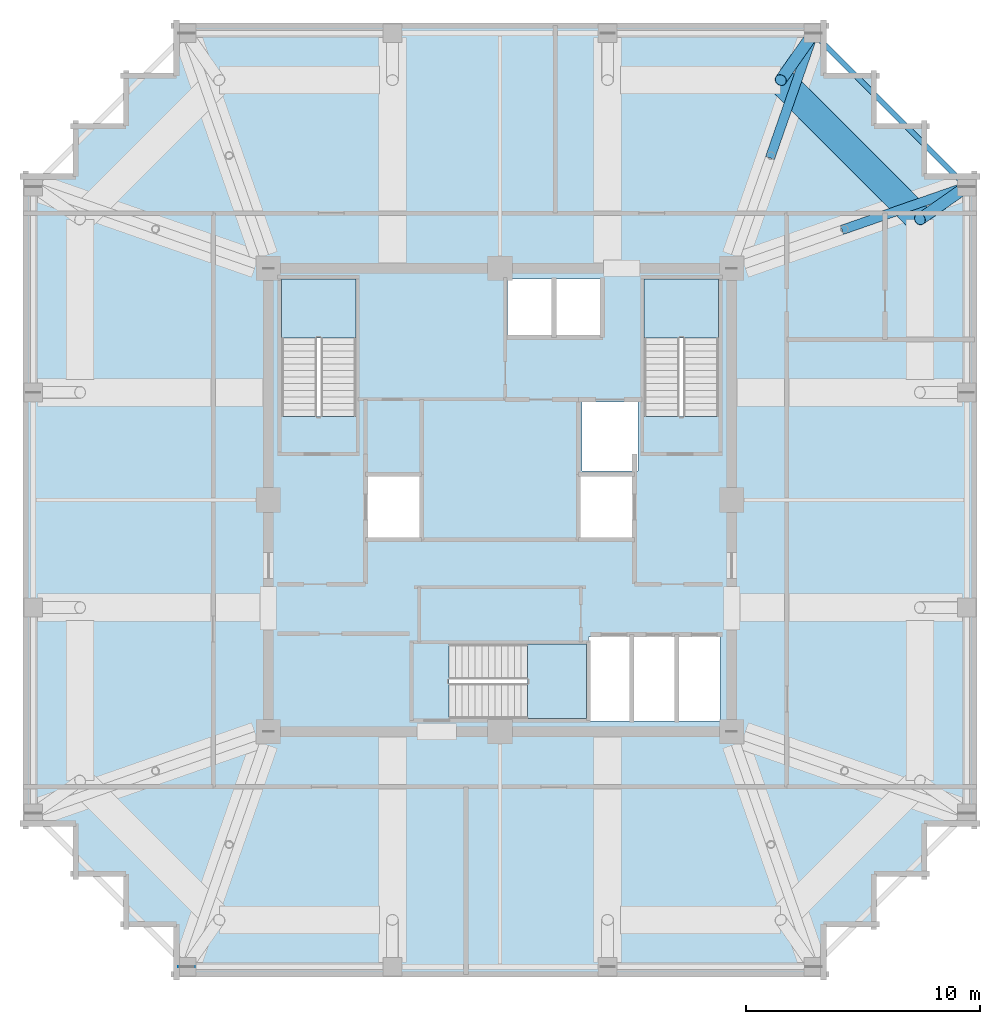
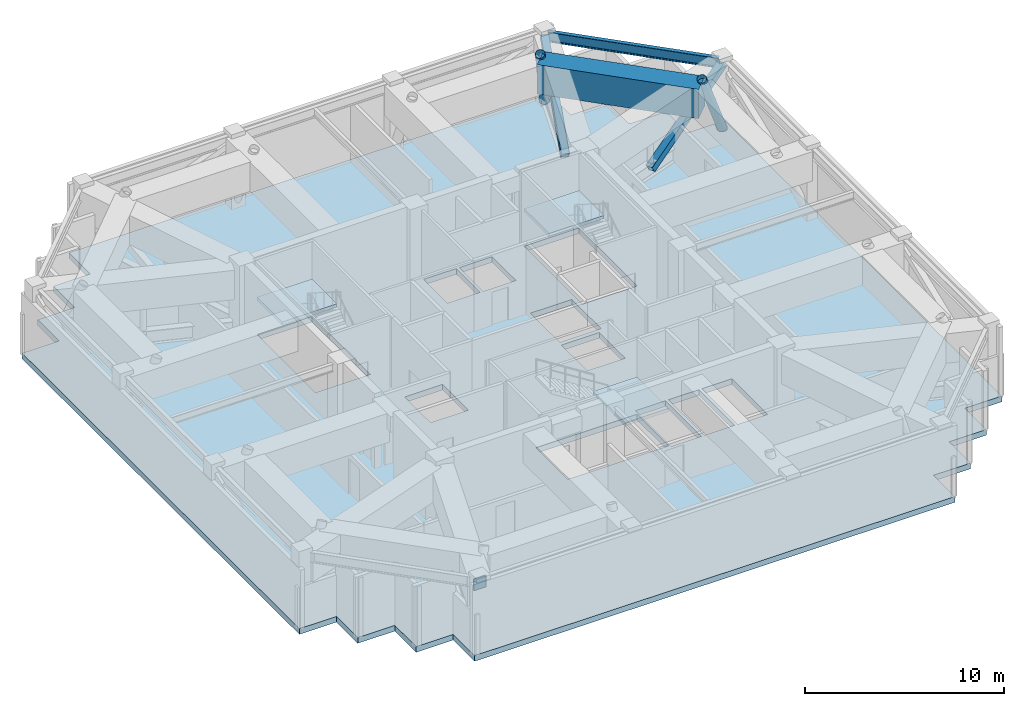
# One storey, part 7 of 14: 4 members, 4 slabs, 2 beams, 1 plate, 3 elements without a shape of their own.
"""IFC4 building model written with IfcOpenShell, lengths in metres."""

from ifc_helpers import new_model, si_unit, direction, frame, origin, origin_2d, place, context, subcontext, project, spatial, polyline, rectangle, hollow_rectangle, hollow_circle, i_section, outline, extrude, material, layer, layer_set, material_profile, profile_set, type_object, element, aggregate, save


model = new_model("IFC4")

# Units and contexts
model_context = context("Model", 3, precision=1e-05, world=origin(), true_north=direction((0.0, 1.0)))
body_context = subcontext(model_context, "Body", "Model", "MODEL_VIEW")
ifc_project = project(units=[si_unit("LENGTHUNIT", "METRE"), si_unit("AREAUNIT", "SQUARE_METRE"), si_unit("VOLUMEUNIT", "CUBIC_METRE"), si_unit("PLANEANGLEUNIT", "RADIAN"), si_unit("MASSUNIT", "GRAM", prefix="KILO")], contexts=[model_context])

# Site, building, storey
site_placement = place(None, origin())
site = spatial("IfcSite", under=ifc_project, at=site_placement, CompositionType="ELEMENT")
building_placement = place(site_placement, origin())
building = spatial("IfcBuilding", under=site, at=building_placement, Name="Kolvaren Belvedere", CompositionType="ELEMENT")
storey_placement = place(building_placement, frame((0.0, 0.0, 232.800048828125)))
storey = spatial("IfcBuildingStorey", under=building, at=storey_placement, Name="L68", CompositionType="ELEMENT", Elevation=232.800048828125)

# Beams
ifc_material_1 = material(Name="Structural steel ASTM A992 Grade 50", Category="steel")
ifc_material_profile_1 = material_profile(ifc_material_1, i_section(OverallWidth=0.22900390625, OverallDepth=0.612060546875, WebThickness=0.011962890625, FlangeThickness=0.01953125, FilletRadius=0.01806640625, at=origin_2d()), Name="W24X84")
ifc_profile_set_1 = profile_set([ifc_material_profile_1], Name="Structural steel ASTM A992 Grade 50")
beam_type_1 = type_object("IfcBeamType", Name="BM-SPAN-W24X84", PredefinedType="SPANDREL", material=ifc_profile_set_1)
beam_1_placement = place(storey_placement, frame((19.82275390625, 13.52734375, 4.0439453125), z_axis=(-0.707106781187, 0.707106781187, 0.0), x_axis=(-0.707106781187, -0.707106781187, 0.0)))
element("IfcBeam", 1, at=beam_1_placement, inside=storey, type_object=beam_type_1, Name="L68 Perimeter Spandrel E4-N4", PredefinedType="SPANDREL", context=body_context, shape_type="SweptSolid", body=[
    extrude(i_section(OverallWidth=0.22900390625, OverallDepth=0.612060546875, WebThickness=0.011962890625, FlangeThickness=0.01953125, FilletRadius=0.01806640625, at=origin_2d()), origin(), (0.0, 0.0, 1.0), 8.903076171875),
])
ifc_material_2 = material(Name="Concrete C50/60", Category="concrete")
ifc_material_profile_2 = material_profile(ifc_material_2, rectangle(XDim=1.199951171875, YDim=1.800048828125, at=origin_2d()), Name="RC 1200X1800")
ifc_profile_set_2 = profile_set([ifc_material_profile_2], Name="Concrete C50/60")
beam_type_2 = type_object("IfcBeamType", Name="BM-TG-1800", PredefinedType="BEAM", material=ifc_profile_set_2)
beam_2_placement = place(storey_placement, frame((17.949951171875, 12.0, 3.449951171875), z_axis=(-0.707106781187, 0.707106781187, 0.0), x_axis=(-0.707106781187, -0.707106781187, 0.0)))
element("IfcBeam", 2, at=beam_2_placement, inside=storey, type_object=beam_type_2, Name="L68 Step Transfer Ring Girder E4-N4", PredefinedType="BEAM", context=body_context, shape_type="SweptSolid", body=[
    extrude(rectangle(XDim=1.199951171875, YDim=1.800048828125, at=origin_2d()), origin(), (0.0, 0.0, 1.0), 8.41455078125),
])

# Members
ifc_material_3 = material(Name="Structural steel ASTM A500 Grade C", Category="steel")
ifc_material_profile_3 = material_profile(ifc_material_3, hollow_rectangle(XDim=0.406005859375, YDim=0.406005859375, WallThickness=0.014892578125, at=origin_2d()), Name="HSS16X16X5/8")
ifc_profile_set_3 = profile_set([ifc_material_profile_3], Name="Structural steel ASTM A500 Grade C")
member_type_1 = type_object("IfcMemberType", Name="MB-OUTRIGGER", PredefinedType="BRACE", material=ifc_profile_set_3)
for number, where, z_axis, x_axis, name in (
    (3, (11.580078125, 14.72412109375, 0.47998046875), (0.27748317362, 0.796824165727, 0.536725569795), (-0.944376502414, 0.32886626718, 0.0), "L68 Outrigger Truss Diagonal OT-5A"),
    (4, (14.72412109375, 11.580078125, 0.47998046875), (0.796824165727, 0.27748317362, 0.536725569795), (-0.32886626718, 0.944376502414, 0.0), "L68 Outrigger Truss Diagonal OT-6A"),
):
    element("IfcMember", number, at=place(storey_placement, frame(where, z_axis=z_axis, x_axis=x_axis)), inside=storey, type_object=member_type_1, Name=name, PredefinedType="BRACE", context=body_context, shape_type="SweptSolid", body=[
        extrude(hollow_rectangle(XDim=0.406005859375, YDim=0.406005859375, WallThickness=0.014892578125, at=origin_2d()), origin(), (0.0, 0.0, 1.0), 6.558349609375),
    ])
ifc_material_4 = material(Name="Structural steel ASTM A500 Grade C", Category="steel")
ifc_material_profile_4 = material_profile(ifc_material_4, hollow_circle(Radius=0.25390625, WallThickness=0.01171875, at=origin_2d()), Name="HSS20.000X0.500")
ifc_profile_set_4 = profile_set([ifc_material_profile_4], Name="Structural steel ASTM A500 Grade C")
member_type_2 = type_object("IfcMemberType", Name="MB-WAIST-STRUT", PredefinedType="STRUT", material=ifc_profile_set_4)
for number, where, z_axis, x_axis, name in (
    (5, (13.39990234375, 19.949951171875, 0.0), (-0.268822662479, -0.384059164812, 0.883307949733), (0.819250713189, -0.573435496756, 0.0), "L68 Inclined Waist Transition Strut N4"),
    (6, (19.949951171875, 13.39990234375, 0.0), (-0.384059164812, -0.268822662479, 0.883307949733), (0.573435496756, -0.819250713189, 0.0), "L68 Inclined Waist Transition Strut E4"),
):
    element("IfcMember", number, at=place(storey_placement, frame(where, z_axis=z_axis, x_axis=x_axis)), inside=storey, type_object=member_type_2, Name=name, PredefinedType="STRUT", context=body_context, shape_type="SweptSolid", body=[
        extrude(hollow_circle(Radius=0.25390625, WallThickness=0.01171875, at=origin_2d()), origin(), (0.0, 0.0, 1.0), 5.20751953125),
    ])

# Plate
ifc_material_5 = material(Name="Structural steel ASTM A572 Grade 50", Category="steel")
ifc_layer_1 = layer(ifc_material_5, 0.0400390625)
ifc_layer_set_1 = layer_set([ifc_layer_1], Name="Structural steel ASTM A572 Grade 50")
plate_type = type_object("IfcPlateType", Name="PL-GUSSET-40", PredefinedType="USERDEFINED", material=ifc_layer_set_1)
plate_placement = place(storey_placement, frame((-13.39990234375, -19.949951171875, 3.64990234375), z_axis=(0.0, 0.0, 1.0), x_axis=(1.0, 0.0, 0.0)))
element("IfcPlate", 7, at=plate_placement, inside=storey, type_object=plate_type, Name="L68 Outrigger Truss Node Gusset ON-1", ObjectType="GUSSET PLATE", PredefinedType="USERDEFINED", context=body_context, shape_type="SweptSolid", body=[
    extrude(rectangle(XDim=0.699951171875, YDim=0.0400390625, at=origin_2d()), origin(), (0.0, 0.0, 1.0), 0.699951171875),
])

# Slab
ifc_material_6 = material(Name="Concrete C50/60", Category="concrete")
ifc_layer_2 = layer(ifc_material_6, 0.35009765625)
ifc_layer_set_2 = layer_set([ifc_layer_2], Name="Concrete C50/60")
slab_type_1 = type_object("IfcSlabType", Name="SL-FLR-350", PredefinedType="FLOOR", material=ifc_layer_set_2)
slab_1_placement = place(storey_placement, frame((0.0, 0.0, -0.35009765625)))
element("IfcSlab", 8, at=slab_1_placement, inside=storey, type_object=slab_type_1, Name="L68 Primary Structural Slab", PredefinedType="FLOOR", context=body_context, shape_type="SweptSolid", body=[
    extrude(outline(polyline([(-13.949951171875, -20.39990234375), (13.949951171875, -20.39990234375), (13.949951171875, -18.25), (16.10009765625, -18.25), (16.10009765625, -16.10009765625), (18.25, -16.10009765625), (18.25, -13.949951171875), (20.39990234375, -13.949951171875), (20.39990234375, 13.949951171875), (18.25, 13.949951171875), (18.25, 16.10009765625), (16.10009765625, 16.10009765625), (16.10009765625, 18.25), (13.949951171875, 18.25), (13.949951171875, 20.39990234375), (-13.949951171875, 20.39990234375), (-13.949951171875, 18.25), (-16.10009765625, 18.25), (-16.10009765625, 16.10009765625), (-18.25, 16.10009765625), (-18.25, 13.949951171875), (-20.39990234375, 13.949951171875), (-20.39990234375, -13.949951171875), (-18.25, -13.949951171875), (-18.25, -16.10009765625), (-16.10009765625, -16.10009765625), (-16.10009765625, -18.25), (-13.949951171875, -18.25), (-13.949951171875, -20.39990234375)]), holes=[polyline([(-9.35009765625, 3.580078125), (-6.159912109375, 3.580078125), (-6.159912109375, 9.449951171875), (-9.35009765625, 9.449951171875), (-9.35009765625, 3.580078125)]), polyline([(6.159912109375, 3.580078125), (9.35009765625, 3.580078125), (9.35009765625, 9.449951171875), (6.159912109375, 9.449951171875), (6.159912109375, 3.580078125)]), polyline([(-2.169921875, -9.35009765625), (3.699951171875, -9.35009765625), (3.699951171875, -6.159912109375), (-2.169921875, -6.159912109375), (-2.169921875, -9.35009765625)]), polyline([(-5.64990234375, -1.60009765625), (-3.449951171875, -1.60009765625), (-3.449951171875, 1.0), (-5.64990234375, 1.0), (-5.64990234375, -1.60009765625)]), polyline([(3.5, 1.25), (5.89990234375, 1.25), (5.89990234375, 4.199951171875), (3.5, 4.199951171875), (3.5, 1.25)]), polyline([(3.449951171875, -1.60009765625), (5.64990234375, -1.60009765625), (5.64990234375, 1.0), (3.449951171875, 1.0), (3.449951171875, -1.60009765625)]), polyline([(3.7900390625, -9.449951171875), (5.5400390625, -9.449951171875), (5.5400390625, -5.85009765625), (3.7900390625, -5.85009765625), (3.7900390625, -9.449951171875)]), polyline([(5.719970703125, -9.449951171875), (7.469970703125, -9.449951171875), (7.469970703125, -5.85009765625), (5.719970703125, -5.85009765625), (5.719970703125, -9.449951171875)]), polyline([(7.64990234375, -9.449951171875), (9.39990234375, -9.449951171875), (9.39990234375, -5.85009765625), (7.64990234375, -5.85009765625), (7.64990234375, -9.449951171875)]), polyline([(0.320068359375, 7.050048828125), (2.219970703125, 7.050048828125), (2.219970703125, 9.449951171875), (0.320068359375, 9.449951171875), (0.320068359375, 7.050048828125)]), polyline([(2.39990234375, 7.050048828125), (4.300048828125, 7.050048828125), (4.300048828125, 9.449951171875), (2.39990234375, 9.449951171875), (2.39990234375, 7.050048828125)])]), origin(), (0.0, 0.0, 1.0), 0.35009765625),
])

# Stair, slab
ifc_material_7 = material(Name="Concrete C50/60", Category="concrete")
stair_type = type_object("IfcStairType", Name="ST-CORE-1520", PredefinedType="HALF_TURN_STAIR", material=ifc_material_7)
stair_1_placement = place(storey_placement, origin())
stair_1 = element("IfcStair", 9, at=stair_1_placement, inside=storey, type_object=stair_type, Name="L68 Protected Exit Stair ST-1", PredefinedType="HALF_TURN_STAIR")
ifc_material_8 = material(Name="Concrete C50/60", Category="concrete")
ifc_layer_3 = layer(ifc_material_8, 0.260009765625)
ifc_layer_set_3 = layer_set([ifc_layer_3], Name="Concrete C50/60")
slab_type_2 = type_object("IfcSlabType", Name="SL-LAND-260", PredefinedType="LANDING", material=ifc_layer_set_3)
slab_2_placement = place(storey_placement, frame((0.0, 0.0, 2.099853515625)))
slab_2 = element("IfcSlab", 10, at=slab_2_placement, type_object=slab_type_2, Name="ST-1 landing 1", PredefinedType="LANDING", context=body_context, shape_type="SweptSolid", body=[
    extrude(outline(polyline([(-6.159912109375, 6.929931640625), (-6.159912109375, 9.449951171875), (-9.35009765625, 9.449951171875), (-9.35009765625, 6.929931640625), (-6.159912109375, 6.929931640625)])), origin(), (0.0, 0.0, 1.0), 0.2001953125),
])
aggregate(stair_1, [slab_2])

stair_2_placement = place(storey_placement, origin())
stair_2 = element("IfcStair", 11, at=stair_2_placement, inside=storey, type_object=stair_type, Name="L68 Protected Exit Stair ST-2", PredefinedType="HALF_TURN_STAIR")
slab_3_placement = place(storey_placement, frame((0.0, 0.0, 2.099853515625)))
slab_3 = element("IfcSlab", 12, at=slab_3_placement, type_object=slab_type_2, Name="ST-2 landing 1", PredefinedType="LANDING", context=body_context, shape_type="SweptSolid", body=[
    extrude(outline(polyline([(9.35009765625, 6.929931640625), (9.35009765625, 9.449951171875), (6.159912109375, 9.449951171875), (6.159912109375, 6.929931640625), (9.35009765625, 6.929931640625)])), origin(), (0.0, 0.0, 1.0), 0.2001953125),
])
aggregate(stair_2, [slab_3])

stair_3_placement = place(storey_placement, origin())
stair_3 = element("IfcStair", 13, at=stair_3_placement, inside=storey, type_object=stair_type, Name="L68 Protected Exit Stair ST-3", PredefinedType="HALF_TURN_STAIR")
slab_4_placement = place(storey_placement, frame((0.0, 0.0, 2.099853515625)))
slab_4 = element("IfcSlab", 14, at=slab_4_placement, type_object=slab_type_2, Name="ST-3 landing 1", PredefinedType="LANDING", context=body_context, shape_type="SweptSolid", body=[
    extrude(outline(polyline([(1.179931640625, -9.35009765625), (3.699951171875, -9.35009765625), (3.699951171875, -6.159912109375), (1.179931640625, -6.159912109375), (1.179931640625, -9.35009765625)])), origin(), (0.0, 0.0, 1.0), 0.2001953125),
])
aggregate(stair_3, [slab_4])

save(model, "model.ifc")
